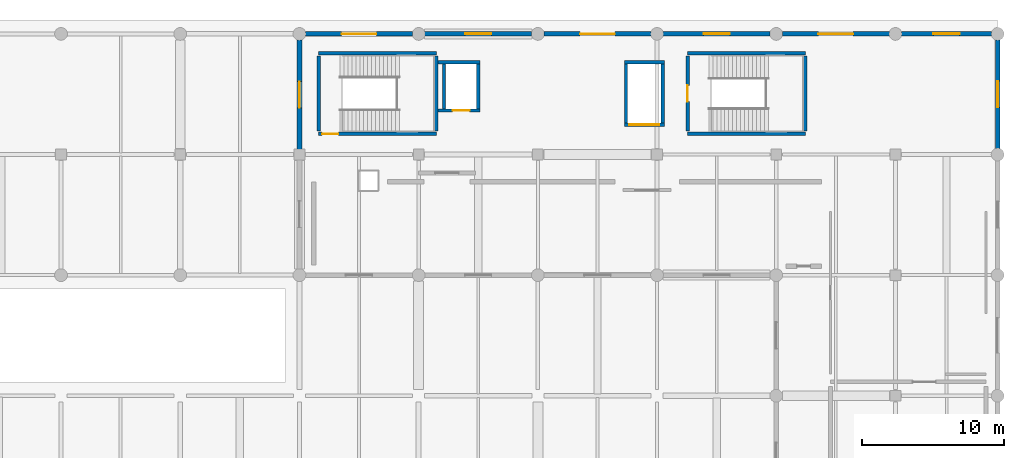
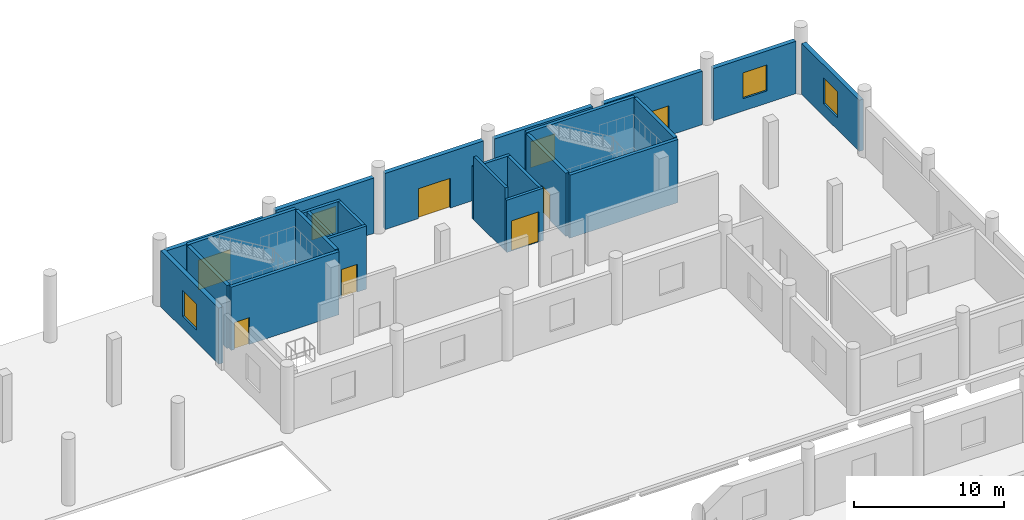
# One storey, part 97 of 107: 24 walls, 7 doors, 5 windows, 12 openings.
"""IFC4 building model written with IfcOpenShell, lengths in metres."""

from ifc_helpers import new_model, si_unit, direction, frame, frame_2d, origin, place, context, subcontext, project, spatial, rectangle, extrude, material, layer, layer_set, type_object, element, fill, save


model = new_model("IFC4")

# Units and contexts
model_context = context("Model", 3, precision=1e-05, world=origin(), true_north=direction((0.0, 1.0)))
body_context = subcontext(model_context, "Body", "Model", "MODEL_VIEW")
ifc_project = project(units=[si_unit("LENGTHUNIT", "METRE"), si_unit("AREAUNIT", "SQUARE_METRE"), si_unit("VOLUMEUNIT", "CUBIC_METRE"), si_unit("PLANEANGLEUNIT", "RADIAN"), si_unit("MASSUNIT", "GRAM", prefix="KILO")], contexts=[model_context])

# Site, building, storey
site_placement = place(None, origin())
site = spatial("IfcSite", under=ifc_project, at=site_placement, CompositionType="ELEMENT")
building_placement = place(site_placement, origin())
building = spatial("IfcBuilding", under=site, at=building_placement, Name="Solvento Point Concert Hall", CompositionType="ELEMENT")
storey_placement = place(building_placement, origin())
storey = spatial("IfcBuildingStorey", under=building, at=storey_placement, Name="L00", CompositionType="ELEMENT", Elevation=0.0)

# Wall, opening, door
ifc_material_1 = material(Name="Concrete C40/50", Category="concrete")
ifc_layer_1 = layer(ifc_material_1, 0.300048828125)
ifc_layer_set_1 = layer_set([ifc_layer_1], Name="Concrete C40/50")
wall_type_1 = type_object("IfcWallType", Name="CoreShearWall_300", PredefinedType="SHEAR", material=ifc_layer_set_1)
wall_1_placement = place(storey_placement, frame((176.449951171875, 128.949951171875, 0.0), z_axis=(0.0, 0.0, 1.0), x_axis=(-1.0, 0.0, 0.0)))
wall_1 = element("IfcWall", 1, at=wall_1_placement, inside=storey, type_object=wall_type_1, Name="Stair core shear wall W-SH1 ST-01 L00", PredefinedType="SHEAR", context=body_context, shape_type="SweptSolid", body=[
    extrude(rectangle(XDim=8.300048828125, YDim=0.25, at=frame_2d((4.14990234375, 0.0))), origin(), (0.0, 0.0, 1.0), 5.1201171875),
])
opening_1_placement = place(wall_1_placement, frame((6.89990234375, 0.0, 0.0)))
opening_1 = element("IfcOpeningElement", 2, at=opening_1_placement, cuts=wall_1, Name="Opening D-ST1", PredefinedType="OPENING", context=body_context, shape_type="SweptSolid", body=[
    extrude(rectangle(XDim=1.14990234375, YDim=2.179931640625, at=frame_2d((0.574951171875, 1.08984375))), frame((0.0, 0.135009765625, 0.0), z_axis=(0.0, -1.0, 0.0), x_axis=(1.0, 0.0, 0.0)), (0.0, 0.0, 1.0), 0.27001953125),
])
ifc_material_2 = material(Name="Hollow Metal Acoustic Fire Door")
door_type_1 = type_object("IfcDoorType", Name="StairFireDoor_1150", OperationType="NOTDEFINED", PredefinedType="DOOR", material=ifc_material_2)
door_1_placement = place(opening_1_placement, origin())
door_1 = element("IfcDoor", 3, at=door_1_placement, inside=storey, type_object=door_type_1, Name="Protected exit stair door ST-01 L00", OperationType="SINGLE_SWING_RIGHT", OverallHeight=2.179931640625, OverallWidth=1.14990234375, PredefinedType="DOOR", context=body_context, shape_type="SweptSolid", body=[
    extrude(rectangle(XDim=1.14990234375, YDim=2.179931640625, at=frame_2d((0.574951171875, 1.08984375))), frame((0.0, 0.02490234375, 0.0), z_axis=(0.0, -1.0, 0.0), x_axis=(1.0, 0.0, 0.0)), (0.0, 0.0, 1.0), 0.050048828125),
])
fill(opening_1, door_1)

# Walls
wall_2_placement = place(storey_placement, frame((168.14990234375, 134.64990234375, 0.0), z_axis=(0.0, 0.0, 1.0), x_axis=(1.0, 0.0, 0.0)))
element("IfcWall", 4, at=wall_2_placement, inside=storey, type_object=wall_type_1, Name="Stair core shear wall W-SH1 ST-01 L00", PredefinedType="SHEAR", context=body_context, shape_type="SweptSolid", body=[
    extrude(rectangle(XDim=8.300048828125, YDim=0.25, at=frame_2d((4.14990234375, 0.0))), origin(), (0.0, 0.0, 1.0), 5.1201171875),
])
for number, where, z_axis, x_axis, name in (
    (5, (168.14990234375, 129.14990234375, 0.0), (0.0, 0.0, 1.0), (0.0, 1.0, 0.0), "Stair core shear wall W-SH1 ST-01 L00"),
    (6, (176.449951171875, 134.449951171875, 0.0), (0.0, 0.0, 1.0), (0.0, -1.0, 0.0), "Stair core shear wall W-SH1 ST-01 L00"),
):
    element("IfcWall", number, at=place(storey_placement, frame(where, z_axis=z_axis, x_axis=x_axis)), inside=storey, type_object=wall_type_1, Name=name, PredefinedType="SHEAR", context=body_context, shape_type="SweptSolid", body=[
        extrude(rectangle(XDim=5.300048828125, YDim=0.25, at=frame_2d((2.64990234375, 0.0))), origin(), (0.0, 0.0, 1.0), 5.1201171875),
    ])
for number, where, z_axis, x_axis, name in (
    (7, (202.449951171875, 128.949951171875, 0.0), (0.0, 0.0, 1.0), (-1.0, 0.0, 0.0), "Stair core shear wall W-SH1 ST-02 L00"),
    (8, (194.14990234375, 134.64990234375, 0.0), (0.0, 0.0, 1.0), (1.0, 0.0, 0.0), "Stair core shear wall W-SH1 ST-02 L00"),
):
    element("IfcWall", number, at=place(storey_placement, frame(where, z_axis=z_axis, x_axis=x_axis)), inside=storey, type_object=wall_type_1, Name=name, PredefinedType="SHEAR", context=body_context, shape_type="SweptSolid", body=[
        extrude(rectangle(XDim=8.300048828125, YDim=0.25, at=frame_2d((4.14990234375, 0.0))), origin(), (0.0, 0.0, 1.0), 5.1201171875),
    ])

# Wall, opening, door
wall_3_placement = place(storey_placement, frame((194.14990234375, 129.14990234375, 0.0), z_axis=(0.0, 0.0, 1.0), x_axis=(0.0, 1.0, 0.0)))
wall_3 = element("IfcWall", 9, at=wall_3_placement, inside=storey, type_object=wall_type_1, Name="Stair core shear wall W-SH1 ST-02 L00", PredefinedType="SHEAR", context=body_context, shape_type="SweptSolid", body=[
    extrude(rectangle(XDim=5.300048828125, YDim=0.25, at=frame_2d((2.64990234375, 0.0))), origin(), (0.0, 0.0, 1.0), 5.1201171875),
])
opening_2_placement = place(wall_3_placement, frame((2.074951171875, 0.0, 0.0)))
opening_2 = element("IfcOpeningElement", 10, at=opening_2_placement, cuts=wall_3, Name="Opening D-ST1", PredefinedType="OPENING", context=body_context, shape_type="SweptSolid", body=[
    extrude(rectangle(XDim=1.14990234375, YDim=2.179931640625, at=frame_2d((0.574951171875, 1.08984375))), frame((0.0, 0.135009765625, 0.0), z_axis=(0.0, -1.0, 0.0), x_axis=(1.0, 0.0, 0.0)), (0.0, 0.0, 1.0), 0.27001953125),
])
door_2_placement = place(opening_2_placement, origin())
door_2 = element("IfcDoor", 11, at=door_2_placement, inside=storey, type_object=door_type_1, Name="Protected exit stair door ST-02 L00", OperationType="SINGLE_SWING_LEFT", OverallHeight=2.179931640625, OverallWidth=1.14990234375, PredefinedType="DOOR", context=body_context, shape_type="SweptSolid", body=[
    extrude(rectangle(XDim=1.14990234375, YDim=2.179931640625, at=frame_2d((0.574951171875, 1.08984375))), frame((0.0, 0.02490234375, 0.0), z_axis=(0.0, -1.0, 0.0), x_axis=(1.0, 0.0, 0.0)), (0.0, 0.0, 1.0), 0.050048828125),
])
fill(opening_2, door_2)

# Wall
wall_4_placement = place(storey_placement, frame((202.449951171875, 134.449951171875, 0.0), z_axis=(0.0, 0.0, 1.0), x_axis=(0.0, -1.0, 0.0)))
element("IfcWall", 12, at=wall_4_placement, inside=storey, type_object=wall_type_1, Name="Stair core shear wall W-SH1 ST-02 L00", PredefinedType="SHEAR", context=body_context, shape_type="SweptSolid", body=[
    extrude(rectangle(XDim=5.300048828125, YDim=0.25, at=frame_2d((2.64990234375, 0.0))), origin(), (0.0, 0.0, 1.0), 5.1201171875),
])

# Wall, opening, door
wall_5_placement = place(storey_placement, frame((176.574951171875, 130.60009765625, 0.0), z_axis=(0.0, 0.0, 1.0), x_axis=(1.0, 0.0, 0.0)))
wall_5 = element("IfcWall", 13, at=wall_5_placement, inside=storey, type_object=wall_type_1, Name="Elevator shaft shear wall W-SH1 LF-01 L00", PredefinedType="SHEAR", context=body_context, shape_type="SweptSolid", body=[
    extrude(rectangle(XDim=2.93505859375, YDim=0.219970703125, at=frame_2d((1.467529296875, 0.0))), origin(), (0.0, 0.0, 1.0), 5.1201171875),
])
opening_3_placement = place(wall_5_placement, frame((1.02490234375, 0.0, 0.0)))
opening_3 = element("IfcOpeningElement", 14, at=opening_3_placement, cuts=wall_5, Name="Opening LD-01", PredefinedType="OPENING", context=body_context, shape_type="SweptSolid", body=[
    extrude(rectangle(XDim=1.199951171875, YDim=2.25, at=frame_2d((0.60009765625, 1.125))), frame((0.0, 0.119873046875, 0.0), z_axis=(0.0, -1.0, 0.0), x_axis=(1.0, 0.0, 0.0)), (0.0, 0.0, 1.0), 0.239990234375),
])
ifc_material_3 = material(Name="Hollow Metal Acoustic Fire Door")
door_type_2 = type_object("IfcDoorType", Name="LiftLandingDoor_FF", OperationType="SLIDING_TO_LEFT", PredefinedType="DOOR", material=ifc_material_3)
door_3_placement = place(opening_3_placement, origin())
door_3 = element("IfcDoor", 15, at=door_3_placement, inside=storey, type_object=door_type_2, Name="Elevator landing door LF-01 L00", OperationType="SLIDING_TO_LEFT", OverallHeight=2.25, OverallWidth=1.199951171875, PredefinedType="DOOR", context=body_context, shape_type="SweptSolid", body=[
    extrude(rectangle(XDim=1.199951171875, YDim=2.25, at=frame_2d((0.60009765625, 1.125))), frame((0.0, 0.02490234375, 0.0), z_axis=(0.0, -1.0, 0.0), x_axis=(1.0, 0.0, 0.0)), (0.0, 0.0, 1.0), 0.050048828125),
])
fill(opening_3, door_3)

# Walls
wall_6_placement = place(storey_placement, frame((176.574951171875, 134.0, 0.0), z_axis=(0.0, 0.0, 1.0), x_axis=(1.0, 0.0, 0.0)))
element("IfcWall", 16, at=wall_6_placement, inside=storey, type_object=wall_type_1, Name="Elevator shaft shear wall W-SH1 LF-01 L00", PredefinedType="SHEAR", context=body_context, shape_type="SweptSolid", body=[
    extrude(rectangle(XDim=2.93505859375, YDim=0.219970703125, at=frame_2d((1.467529296875, 0.0))), origin(), (0.0, 0.0, 1.0), 5.1201171875),
])
for number, where, z_axis, x_axis, name in (
    (17, (177.0, 130.7099609375, 0.0), (0.0, 0.0, 1.0), (0.0, 1.0, 0.0), "Elevator shaft shear wall W-SH1 LF-01 L00"),
    (18, (179.39990234375, 130.7099609375, 0.0), (0.0, 0.0, 1.0), (0.0, 1.0, 0.0), "Elevator shaft shear wall W-SH1 LF-01 L00"),
):
    element("IfcWall", number, at=place(storey_placement, frame(where, z_axis=z_axis, x_axis=x_axis)), inside=storey, type_object=wall_type_1, Name=name, PredefinedType="SHEAR", context=body_context, shape_type="SweptSolid", body=[
        extrude(rectangle(XDim=3.179931640625, YDim=0.219970703125, at=frame_2d((1.58984375, 0.0))), origin(), (0.0, 0.0, 1.0), 5.1201171875),
    ])

# Wall, opening, door
wall_7_placement = place(storey_placement, frame((189.68994140625, 129.60009765625, 0.0), z_axis=(0.0, 0.0, 1.0), x_axis=(1.0, 0.0, 0.0)))
wall_7 = element("IfcWall", 19, at=wall_7_placement, inside=storey, type_object=wall_type_1, Name="Elevator shaft shear wall W-SH1 LG-02 L00", PredefinedType="SHEAR", context=body_context, shape_type="SweptSolid", body=[
    extrude(rectangle(XDim=2.820068359375, YDim=0.219970703125, at=frame_2d((1.41015625, 0.0))), origin(), (0.0, 0.0, 1.0), 4.2451171875),
])
opening_4_placement = place(wall_7_placement, frame((0.360107421875, 0.0, 0.0)))
opening_4 = element("IfcOpeningElement", 20, at=opening_4_placement, cuts=wall_7, Name="Opening LD-03", PredefinedType="OPENING", context=body_context, shape_type="SweptSolid", body=[
    extrude(rectangle(XDim=2.10009765625, YDim=2.449951171875, at=frame_2d((1.050048828125, 1.22509765625))), frame((0.0, 0.119873046875, 0.0), z_axis=(0.0, -1.0, 0.0), x_axis=(1.0, 0.0, 0.0)), (0.0, 0.0, 1.0), 0.239990234375),
])
ifc_material_4 = material(Name="Hollow Metal Acoustic Fire Door")
door_type_3 = type_object("IfcDoorType", Name="LiftLandingDoor_Goods", OperationType="DOUBLE_DOOR_SLIDING", PredefinedType="DOOR", material=ifc_material_4)
door_4_placement = place(opening_4_placement, origin())
door_4 = element("IfcDoor", 21, at=door_4_placement, inside=storey, type_object=door_type_3, Name="Elevator landing door LG-02 L00", OperationType="DOUBLE_DOOR_SLIDING", OverallHeight=2.449951171875, OverallWidth=2.10009765625, PredefinedType="DOOR", context=body_context, shape_type="SweptSolid", body=[
    extrude(rectangle(XDim=2.10009765625, YDim=2.449951171875, at=frame_2d((1.050048828125, 1.22509765625))), frame((0.0, 0.02490234375, 0.0), z_axis=(0.0, -1.0, 0.0), x_axis=(1.0, 0.0, 0.0)), (0.0, 0.0, 1.0), 0.050048828125),
])
fill(opening_4, door_4)

# Walls
wall_8_placement = place(storey_placement, frame((189.68994140625, 134.0, 0.0), z_axis=(0.0, 0.0, 1.0), x_axis=(1.0, 0.0, 0.0)))
element("IfcWall", 22, at=wall_8_placement, inside=storey, type_object=wall_type_1, Name="Elevator shaft shear wall W-SH1 LG-02 L00", PredefinedType="SHEAR", context=body_context, shape_type="SweptSolid", body=[
    extrude(rectangle(XDim=2.820068359375, YDim=0.219970703125, at=frame_2d((1.41015625, 0.0))), origin(), (0.0, 0.0, 1.0), 4.2451171875),
])
wall_9_placement = place(storey_placement, frame((189.800048828125, 129.7099609375, 0.0), z_axis=(0.0, 0.0, 1.0), x_axis=(0.0, 1.0, 0.0)))
element("IfcWall", 23, at=wall_9_placement, inside=storey, type_object=wall_type_1, Name="Elevator shaft shear wall W-SH1 LG-02 L00", PredefinedType="SHEAR", context=body_context, shape_type="SweptSolid", body=[
    extrude(rectangle(XDim=4.179931640625, YDim=0.219970703125, at=frame_2d((2.08984375, 0.0))), origin(), (0.0, 0.0, 1.0), 5.1201171875),
])
wall_10_placement = place(storey_placement, frame((192.39990234375, 129.7099609375, 0.0), z_axis=(0.0, 0.0, 1.0), x_axis=(0.0, 1.0, 0.0)))
element("IfcWall", 24, at=wall_10_placement, inside=storey, type_object=wall_type_1, Name="Elevator shaft shear wall W-SH1 LG-02 L00", PredefinedType="SHEAR", context=body_context, shape_type="SweptSolid", body=[
    extrude(rectangle(XDim=4.179931640625, YDim=0.219970703125, at=frame_2d((2.08984375, 0.0))), origin(), (0.0, 0.0, 1.0), 4.2451171875),
])

# Wall, opening, window
ifc_material_5 = material(Name="Concrete C35/45", Category="concrete")
ifc_layer_2 = layer(ifc_material_5, 0.330078125)
ifc_layer_set_2 = layer_set([ifc_layer_2], Name="Concrete C35/45")
wall_type_2 = type_object("IfcWallType", Name="ExtWall_V5_Plinth_330", PredefinedType="SOLIDWALL", material=ifc_layer_set_2)
wall_11_placement = place(storey_placement, frame((166.800048828125, 127.85498046875, 0.0), z_axis=(0.0, 0.0, 1.0), x_axis=(0.0, 1.0, 0.0)))
wall_11 = element("IfcWall", 25, at=wall_11_placement, inside=storey, type_object=wall_type_2, Name="Exterior architectural concrete wall EW-72 L00", PredefinedType="SOLIDWALL", context=body_context, shape_type="SweptSolid", body=[
    extrude(rectangle(XDim=7.715087890625, YDim=0.330078125, at=frame_2d((3.857421875, 0.0))), origin(), (0.0, 0.0, 1.0), 4.554931640625),
])
opening_5_placement = place(wall_11_placement, frame((2.9326171875, 0.0, 1.0)))
opening_5 = element("IfcOpeningElement", 26, at=opening_5_placement, cuts=wall_11, Name="Opening WN-36", PredefinedType="OPENING", context=body_context, shape_type="SweptSolid", body=[
    extrude(rectangle(XDim=1.85009765625, YDim=2.10009765625, at=frame_2d((0.925048828125, 1.050048828125))), frame((0.0, 0.175048828125, 0.0), z_axis=(0.0, -1.0, 0.0), x_axis=(1.0, 0.0, 0.0)), (0.0, 0.0, 1.0), 0.35009765625),
])
ifc_material_6 = material(Name="Hurricane Laminated Low-E Glass", Category="glass")
window_type = type_object("IfcWindowType", Name="Win_V5_Workshop_L00", PartitioningType="SINGLE_PANEL", PredefinedType="WINDOW", material=ifc_material_6)
window_1_placement = place(opening_5_placement, origin())
window_1 = element("IfcWindow", 27, at=window_1_placement, inside=storey, type_object=window_type, Name="Impact acoustic window WN-36", OverallHeight=2.10009765625, OverallWidth=1.85009765625, PartitioningType="SINGLE_PANEL", PredefinedType="WINDOW", context=body_context, shape_type="SweptSolid", body=[
    extrude(rectangle(XDim=1.85009765625, YDim=2.10009765625, at=frame_2d((0.925048828125, 1.050048828125))), frame((0.0, 0.030029296875, 0.0), z_axis=(0.0, -1.0, 0.0), x_axis=(1.0, 0.0, 0.0)), (0.0, 0.0, 1.0), 0.06005859375),
])
fill(opening_5, window_1)

# Wall, opening, door
wall_12_placement = place(storey_placement, frame((167.22998046875, 136.0, 0.0), z_axis=(0.0, 0.0, 1.0), x_axis=(1.0, 0.0, 0.0)))
wall_12 = element("IfcWall", 28, at=wall_12_placement, inside=storey, type_object=wall_type_2, Name="Exterior architectural concrete wall EW-72 L00", PredefinedType="SOLIDWALL", context=body_context, shape_type="SweptSolid", body=[
    extrude(rectangle(XDim=7.5400390625, YDim=0.330078125, at=frame_2d((3.77001953125, 0.0))), origin(), (0.0, 0.0, 1.0), 4.14404296875),
])
opening_6_placement = place(wall_12_placement, frame((2.544921875, 0.0, 0.0)))
opening_6 = element("IfcOpeningElement", 29, at=opening_6_placement, cuts=wall_12, Name="Opening ED-06", PredefinedType="OPENING", context=body_context, shape_type="SweptSolid", body=[
    extrude(rectangle(XDim=2.449951171875, YDim=2.419921875, at=frame_2d((1.22509765625, 1.2099609375))), frame((0.0, 0.175048828125, 0.0), z_axis=(0.0, -1.0, 0.0), x_axis=(1.0, 0.0, 0.0)), (0.0, 0.0, 1.0), 0.35009765625),
])
ifc_material_7 = material(Name="Anodized Bronze Aluminium", Category="aluminium")
door_type_4 = type_object("IfcDoorType", Name="PedestrianExitDoor_ED-06", OperationType="DOUBLE_DOOR_SINGLE_SWING", PredefinedType="DOOR", material=ifc_material_7)
door_5_placement = place(opening_6_placement, origin())
door_5 = element("IfcDoor", 30, at=door_5_placement, inside=storey, type_object=door_type_4, Name="Perimeter stair passageway final exit discharge double door ED-06", OperationType="DOUBLE_DOOR_SINGLE_SWING", OverallHeight=2.419921875, OverallWidth=2.449951171875, PredefinedType="DOOR", context=body_context, shape_type="SweptSolid", body=[
    extrude(rectangle(XDim=2.449951171875, YDim=2.419921875, at=frame_2d((1.22509765625, 1.2099609375))), frame((0.0, 0.02490234375, 0.0), z_axis=(0.0, -1.0, 0.0), x_axis=(1.0, 0.0, 0.0)), (0.0, 0.0, 1.0), 0.050048828125),
])
fill(opening_6, door_5)

# Wall, opening, window
wall_13_placement = place(storey_placement, frame((175.6298828125, 136.0, 0.0), z_axis=(0.0, 0.0, 1.0), x_axis=(1.0, 0.0, 0.0)))
wall_13 = element("IfcWall", 31, at=wall_13_placement, inside=storey, type_object=wall_type_2, Name="Exterior architectural concrete wall EW-72 L00", PredefinedType="SOLIDWALL", context=body_context, shape_type="SweptSolid", body=[
    extrude(rectangle(XDim=7.5400390625, YDim=0.330078125, at=frame_2d((3.77001953125, 0.0))), origin(), (0.0, 0.0, 1.0), 4.49609375),
])
opening_7_placement = place(wall_13_placement, frame((2.844970703125, 0.0, 1.0)))
opening_7 = element("IfcOpeningElement", 32, at=opening_7_placement, cuts=wall_13, Name="Opening WN-36", PredefinedType="OPENING", context=body_context, shape_type="SweptSolid", body=[
    extrude(rectangle(XDim=1.85009765625, YDim=2.10009765625, at=frame_2d((0.925048828125, 1.050048828125))), frame((0.0, 0.175048828125, 0.0), z_axis=(0.0, -1.0, 0.0), x_axis=(1.0, 0.0, 0.0)), (0.0, 0.0, 1.0), 0.35009765625),
])
window_2_placement = place(opening_7_placement, origin())
window_2 = element("IfcWindow", 33, at=window_2_placement, inside=storey, type_object=window_type, Name="Impact acoustic window WN-36", OverallHeight=2.10009765625, OverallWidth=1.85009765625, PartitioningType="SINGLE_PANEL", PredefinedType="WINDOW", context=body_context, shape_type="SweptSolid", body=[
    extrude(rectangle(XDim=1.85009765625, YDim=2.10009765625, at=frame_2d((0.925048828125, 1.050048828125))), frame((0.0, 0.030029296875, 0.0), z_axis=(0.0, -1.0, 0.0), x_axis=(1.0, 0.0, 0.0)), (0.0, 0.0, 1.0), 0.06005859375),
])
fill(opening_7, window_2)

# Wall, opening, door
wall_14_placement = place(storey_placement, frame((184.030029296875, 136.0, 0.0), z_axis=(0.0, 0.0, 1.0), x_axis=(1.0, 0.0, 0.0)))
wall_14 = element("IfcWall", 34, at=wall_14_placement, inside=storey, type_object=wall_type_2, Name="Exterior architectural concrete wall EW-72 L00", PredefinedType="SOLIDWALL", context=body_context, shape_type="SweptSolid", body=[
    extrude(rectangle(XDim=7.5400390625, YDim=0.330078125, at=frame_2d((3.77001953125, 0.0))), origin(), (0.0, 0.0, 1.0), 4.554931640625),
])
opening_8_placement = place(wall_14_placement, frame((2.544921875, 0.0, 0.0)))
opening_8 = element("IfcOpeningElement", 35, at=opening_8_placement, cuts=wall_14, Name="Opening ED-06", PredefinedType="OPENING", context=body_context, shape_type="SweptSolid", body=[
    extrude(rectangle(XDim=2.449951171875, YDim=2.419921875, at=frame_2d((1.22509765625, 1.2099609375))), frame((0.0, 0.175048828125, 0.0), z_axis=(0.0, -1.0, 0.0), x_axis=(1.0, 0.0, 0.0)), (0.0, 0.0, 1.0), 0.35009765625),
])
door_6_placement = place(opening_8_placement, origin())
door_6 = element("IfcDoor", 36, at=door_6_placement, inside=storey, type_object=door_type_4, Name="Perimeter stair passageway final exit discharge double door ED-06", OperationType="DOUBLE_DOOR_SINGLE_SWING", OverallHeight=2.419921875, OverallWidth=2.449951171875, PredefinedType="DOOR", context=body_context, shape_type="SweptSolid", body=[
    extrude(rectangle(XDim=2.449951171875, YDim=2.419921875, at=frame_2d((1.22509765625, 1.2099609375))), frame((0.0, 0.02490234375, 0.0), z_axis=(0.0, -1.0, 0.0), x_axis=(1.0, 0.0, 0.0)), (0.0, 0.0, 1.0), 0.050048828125),
])
fill(opening_8, door_6)

# Wall, opening, window
wall_15_placement = place(storey_placement, frame((192.429931640625, 136.0, 0.0), z_axis=(0.0, 0.0, 1.0), x_axis=(1.0, 0.0, 0.0)))
wall_15 = element("IfcWall", 37, at=wall_15_placement, inside=storey, type_object=wall_type_2, Name="Exterior architectural concrete wall EW-72 L00", PredefinedType="SOLIDWALL", context=body_context, shape_type="SweptSolid", body=[
    extrude(rectangle(XDim=7.5400390625, YDim=0.330078125, at=frame_2d((3.77001953125, 0.0))), origin(), (0.0, 0.0, 1.0), 4.410888671875),
])
opening_9_placement = place(wall_15_placement, frame((2.844970703125, 0.0, 1.0)))
opening_9 = element("IfcOpeningElement", 38, at=opening_9_placement, cuts=wall_15, Name="Opening WN-36", PredefinedType="OPENING", context=body_context, shape_type="SweptSolid", body=[
    extrude(rectangle(XDim=1.85009765625, YDim=2.10009765625, at=frame_2d((0.925048828125, 1.050048828125))), frame((0.0, 0.175048828125, 0.0), z_axis=(0.0, -1.0, 0.0), x_axis=(1.0, 0.0, 0.0)), (0.0, 0.0, 1.0), 0.35009765625),
])
window_3_placement = place(opening_9_placement, origin())
window_3 = element("IfcWindow", 39, at=window_3_placement, inside=storey, type_object=window_type, Name="Impact acoustic window WN-36", OverallHeight=2.10009765625, OverallWidth=1.85009765625, PartitioningType="SINGLE_PANEL", PredefinedType="WINDOW", context=body_context, shape_type="SweptSolid", body=[
    extrude(rectangle(XDim=1.85009765625, YDim=2.10009765625, at=frame_2d((0.925048828125, 1.050048828125))), frame((0.0, 0.030029296875, 0.0), z_axis=(0.0, -1.0, 0.0), x_axis=(1.0, 0.0, 0.0)), (0.0, 0.0, 1.0), 0.06005859375),
])
fill(opening_9, window_3)

# Wall, opening, door
wall_16_placement = place(storey_placement, frame((200.830078125, 136.0, 0.0), z_axis=(0.0, 0.0, 1.0), x_axis=(1.0, 0.0, 0.0)))
wall_16 = element("IfcWall", 40, at=wall_16_placement, inside=storey, type_object=wall_type_2, Name="Exterior architectural concrete wall EW-72 L00", PredefinedType="SOLIDWALL", context=body_context, shape_type="SweptSolid", body=[
    extrude(rectangle(XDim=7.5400390625, YDim=0.330078125, at=frame_2d((3.77001953125, 0.0))), origin(), (0.0, 0.0, 1.0), 4.333984375),
])
opening_10_placement = place(wall_16_placement, frame((2.544921875, 0.0, 0.0)))
opening_10 = element("IfcOpeningElement", 41, at=opening_10_placement, cuts=wall_16, Name="Opening ED-06", PredefinedType="OPENING", context=body_context, shape_type="SweptSolid", body=[
    extrude(rectangle(XDim=2.449951171875, YDim=2.419921875, at=frame_2d((1.22509765625, 1.2099609375))), frame((0.0, 0.175048828125, 0.0), z_axis=(0.0, -1.0, 0.0), x_axis=(1.0, 0.0, 0.0)), (0.0, 0.0, 1.0), 0.35009765625),
])
door_7_placement = place(opening_10_placement, origin())
door_7 = element("IfcDoor", 42, at=door_7_placement, inside=storey, type_object=door_type_4, Name="Perimeter stair passageway final exit discharge double door ED-06", OperationType="DOUBLE_DOOR_SINGLE_SWING", OverallHeight=2.419921875, OverallWidth=2.449951171875, PredefinedType="DOOR", context=body_context, shape_type="SweptSolid", body=[
    extrude(rectangle(XDim=2.449951171875, YDim=2.419921875, at=frame_2d((1.22509765625, 1.2099609375))), frame((0.0, 0.02490234375, 0.0), z_axis=(0.0, -1.0, 0.0), x_axis=(1.0, 0.0, 0.0)), (0.0, 0.0, 1.0), 0.050048828125),
])
fill(opening_10, door_7)

# Wall, opening, window
wall_17_placement = place(storey_placement, frame((209.22998046875, 136.0, 0.0), z_axis=(0.0, 0.0, 1.0), x_axis=(1.0, 0.0, 0.0)))
wall_17 = element("IfcWall", 43, at=wall_17_placement, inside=storey, type_object=wall_type_2, Name="Exterior architectural concrete wall EW-72 L00", PredefinedType="SOLIDWALL", context=body_context, shape_type="SweptSolid", body=[
    extrude(rectangle(XDim=6.340087890625, YDim=0.330078125, at=frame_2d((3.169921875, 0.0))), origin(), (0.0, 0.0, 1.0), 4.2451171875),
])
opening_11_placement = place(wall_17_placement, frame((2.2451171875, 0.0, 1.0)))
opening_11 = element("IfcOpeningElement", 44, at=opening_11_placement, cuts=wall_17, Name="Opening WN-36", PredefinedType="OPENING", context=body_context, shape_type="SweptSolid", body=[
    extrude(rectangle(XDim=1.85009765625, YDim=2.10009765625, at=frame_2d((0.925048828125, 1.050048828125))), frame((0.0, 0.175048828125, 0.0), z_axis=(0.0, -1.0, 0.0), x_axis=(1.0, 0.0, 0.0)), (0.0, 0.0, 1.0), 0.35009765625),
])
window_4_placement = place(opening_11_placement, origin())
window_4 = element("IfcWindow", 45, at=window_4_placement, inside=storey, type_object=window_type, Name="Impact acoustic window WN-36", OverallHeight=2.10009765625, OverallWidth=1.85009765625, PartitioningType="SINGLE_PANEL", PredefinedType="WINDOW", context=body_context, shape_type="SweptSolid", body=[
    extrude(rectangle(XDim=1.85009765625, YDim=2.10009765625, at=frame_2d((0.925048828125, 1.050048828125))), frame((0.0, 0.030029296875, 0.0), z_axis=(0.0, -1.0, 0.0), x_axis=(1.0, 0.0, 0.0)), (0.0, 0.0, 1.0), 0.06005859375),
])
fill(opening_11, window_4)

wall_18_placement = place(storey_placement, frame((216.0, 135.570068359375, 0.0), z_axis=(0.0, 0.0, 1.0), x_axis=(0.0, -1.0, 0.0)))
wall_18 = element("IfcWall", 46, at=wall_18_placement, inside=storey, type_object=wall_type_2, Name="Exterior architectural concrete wall EW-72 L00", PredefinedType="SOLIDWALL", context=body_context, shape_type="SweptSolid", body=[
    extrude(rectangle(XDim=7.64013671875, YDim=0.330078125, at=frame_2d((3.820068359375, 0.0))), origin(), (0.0, 0.0, 1.0), 4.14404296875),
])
opening_12_placement = place(wall_18_placement, frame((2.89501953125, 0.0, 1.0)))
opening_12 = element("IfcOpeningElement", 47, at=opening_12_placement, cuts=wall_18, Name="Opening WN-36", PredefinedType="OPENING", context=body_context, shape_type="SweptSolid", body=[
    extrude(rectangle(XDim=1.85009765625, YDim=2.10009765625, at=frame_2d((0.925048828125, 1.050048828125))), frame((0.0, 0.175048828125, 0.0), z_axis=(0.0, -1.0, 0.0), x_axis=(1.0, 0.0, 0.0)), (0.0, 0.0, 1.0), 0.35009765625),
])
window_5_placement = place(opening_12_placement, origin())
window_5 = element("IfcWindow", 48, at=window_5_placement, inside=storey, type_object=window_type, Name="Impact acoustic window WN-36", OverallHeight=2.10009765625, OverallWidth=1.85009765625, PartitioningType="SINGLE_PANEL", PredefinedType="WINDOW", context=body_context, shape_type="SweptSolid", body=[
    extrude(rectangle(XDim=1.85009765625, YDim=2.10009765625, at=frame_2d((0.925048828125, 1.050048828125))), frame((0.0, 0.030029296875, 0.0), z_axis=(0.0, -1.0, 0.0), x_axis=(1.0, 0.0, 0.0)), (0.0, 0.0, 1.0), 0.06005859375),
])
fill(opening_12, window_5)

save(model, "model.ifc")
